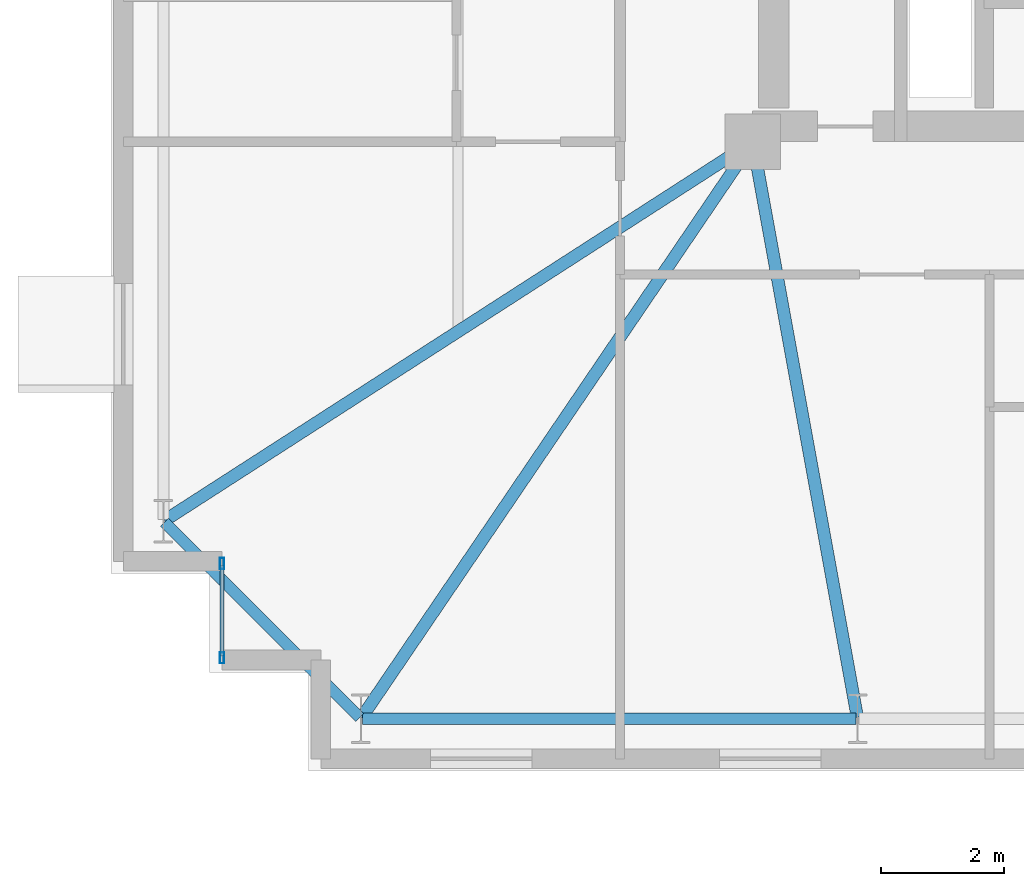
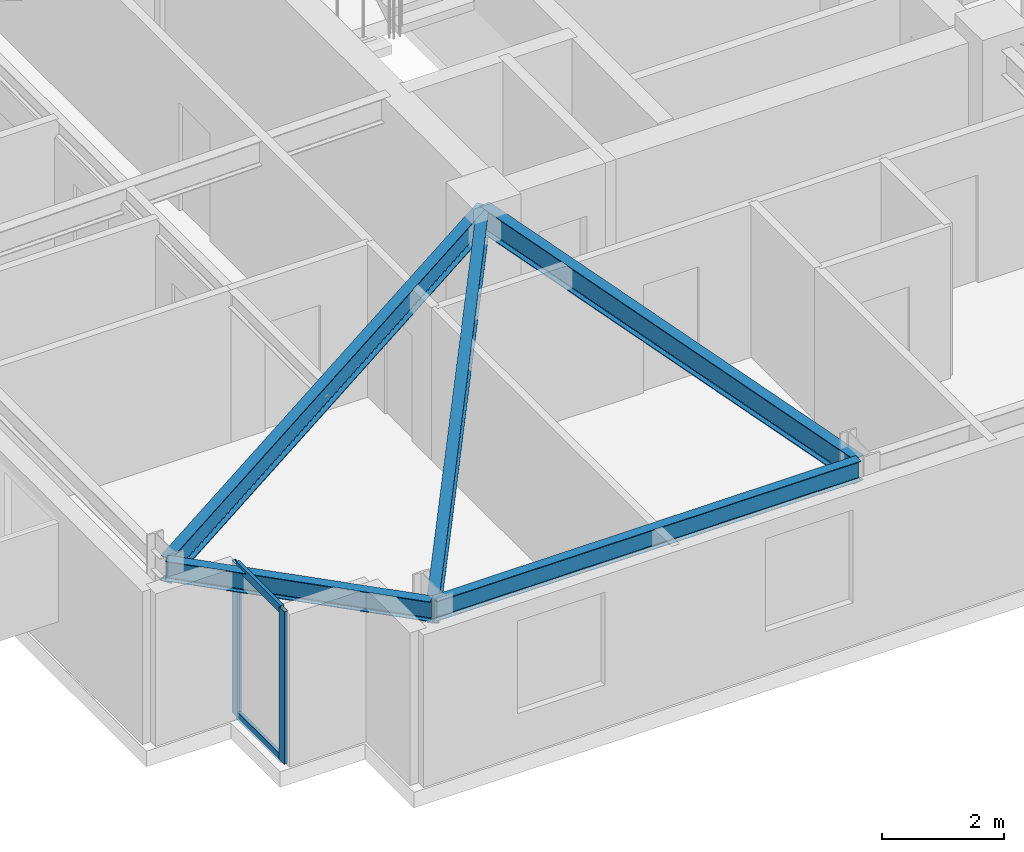
# One storey, part 3 of 18: 5 beams, 4 members, 1 element without a shape of its own.
"""IFC4 building model written with IfcOpenShell, lengths in metres."""

from ifc_helpers import new_model, si_unit, direction, frame, origin, origin_2d, place, context, subcontext, project, spatial, hollow_rectangle, i_section, extrude, material, layer, layer_set, material_profile, profile_set, type_object, element, aggregate, save


model = new_model("IFC4")

# Units and contexts
model_context = context("Model", 3, precision=1e-05, world=origin(), true_north=direction((0.0, 1.0)))
body_context = subcontext(model_context, "Body", "Model", "MODEL_VIEW")
ifc_project = project(units=[si_unit("LENGTHUNIT", "METRE"), si_unit("AREAUNIT", "SQUARE_METRE"), si_unit("VOLUMEUNIT", "CUBIC_METRE"), si_unit("PLANEANGLEUNIT", "RADIAN"), si_unit("MASSUNIT", "GRAM", prefix="KILO")], contexts=[model_context])

# Site, building, storey
site_placement = place(None, origin())
site = spatial("IfcSite", under=ifc_project, at=site_placement, CompositionType="ELEMENT")
building_placement = place(site_placement, origin())
building = spatial("IfcBuilding", under=site, at=building_placement, Name="Qobustan Lattice House", CompositionType="ELEMENT")
storey_placement = place(building_placement, frame((0.0, 0.0, 147.75)))
storey = spatial("IfcBuildingStorey", under=building, at=storey_placement, Name="L41", CompositionType="ELEMENT", Elevation=147.75)

# Beams
ifc_material_1 = material(Name="Steel S355", Category="steel")
ifc_material_profile_1 = material_profile(ifc_material_1, i_section(OverallWidth=0.199951171875, OverallDepth=0.5, WebThickness=0.01025390625, FlangeThickness=0.01611328125, FilletRadius=0.02099609375, at=origin_2d()), Name="IPE500")
ifc_profile_set_1 = profile_set([ifc_material_profile_1], Name="Steel S355")
beam_type_1 = type_object("IfcBeamType", Name="BM-FLG-IPE500", PredefinedType="USERDEFINED", material=ifc_profile_set_1)
beam_1_placement = place(storey_placement, frame((-25.135986328125, -14.92919921875, 2.7900390625), z_axis=(0.561834572616, 0.827249607442, 0.0), x_axis=(-0.827249607442, 0.561834572616, 0.0)))
element("IfcBeam", 1, at=beam_1_placement, inside=storey, type_object=beam_type_1, Name="L41 primary floor girder RAD-S1W", ObjectType="GIRDER", PredefinedType="USERDEFINED", context=body_context, shape_type="SweptSolid", body=[
    extrude(i_section(OverallWidth=0.199951171875, OverallDepth=0.5, WebThickness=0.01025390625, FlangeThickness=0.01611328125, FilletRadius=0.02099609375, at=origin_2d()), origin(), (0.0, 0.0, 1.0), 11.25244140625),
])
beam_2_placement = place(storey_placement, frame((-17.1044921875, -14.92529296875, 2.7900390625), z_axis=(-0.178871801984, 0.983872389314, 0.0), x_axis=(-0.983872389314, -0.178871801984, 0.0)))
element("IfcBeam", 2, at=beam_2_placement, inside=storey, type_object=beam_type_1, Name="L41 primary floor girder RAD-S2", ObjectType="GIRDER", PredefinedType="USERDEFINED", context=body_context, shape_type="SweptSolid", body=[
    extrude(i_section(OverallWidth=0.199951171875, OverallDepth=0.5, WebThickness=0.01025390625, FlangeThickness=0.01611328125, FilletRadius=0.02099609375, at=origin_2d()), origin(), (0.0, 0.0, 1.0), 9.453125),
])
beam_3_placement = place(storey_placement, frame((-28.3291015625, -11.736572265625, 2.7900390625), z_axis=(0.840746836292, 0.5414284415, 0.0), x_axis=(-0.5414284415, 0.840746836292, 0.0)))
element("IfcBeam", 3, at=beam_3_placement, inside=storey, type_object=beam_type_1, Name="L41 primary floor girder RAD-W4", ObjectType="GIRDER", PredefinedType="USERDEFINED", context=body_context, shape_type="SweptSolid", body=[
    extrude(i_section(OverallWidth=0.199951171875, OverallDepth=0.5, WebThickness=0.01025390625, FlangeThickness=0.01611328125, FilletRadius=0.02099609375, at=origin_2d()), origin(), (0.0, 0.0, 1.0), 11.30908203125),
])
ifc_material_2 = material(Name="Steel S355", Category="steel")
ifc_material_profile_2 = material_profile(ifc_material_2, i_section(OverallWidth=0.179931640625, OverallDepth=0.39990234375, WebThickness=0.008544921875, FlangeThickness=0.013427734375, FilletRadius=0.02099609375, at=origin_2d()), Name="IPE400")
ifc_profile_set_2 = profile_set([ifc_material_profile_2], Name="Steel S355")
beam_type_2 = type_object("IfcBeamType", Name="BM-SPD-IPE400", PredefinedType="SPANDREL", material=ifc_profile_set_2)
beam_4_placement = place(storey_placement, frame((-25.125, -14.949951171875, 2.840087890625), z_axis=(1.0, 0.0, 0.0), x_axis=(0.0, 1.0, 0.0)))
element("IfcBeam", 4, at=beam_4_placement, inside=storey, type_object=beam_type_2, Name="L41 perimeter spandrel S1-S2", PredefinedType="SPANDREL", context=body_context, shape_type="SweptSolid", body=[
    extrude(i_section(OverallWidth=0.179931640625, OverallDepth=0.39990234375, WebThickness=0.008544921875, FlangeThickness=0.013427734375, FilletRadius=0.02099609375, at=origin_2d()), origin(), (0.0, 0.0, 1.0), 8.0),
])
beam_5_placement = place(storey_placement, frame((-28.332275390625, -11.767578125, 2.840087890625), z_axis=(0.707079505568, -0.707134055753, 0.0), x_axis=(0.707134055753, 0.707079505568, 0.0)))
element("IfcBeam", 5, at=beam_5_placement, inside=storey, type_object=beam_type_2, Name="L41 perimeter spandrel W4-S1", PredefinedType="SPANDREL", context=body_context, shape_type="SweptSolid", body=[
    extrude(i_section(OverallWidth=0.179931640625, OverallDepth=0.39990234375, WebThickness=0.008544921875, FlangeThickness=0.013427734375, FilletRadius=0.02099609375, at=origin_2d()), origin(), (0.0, 0.0, 1.0), 4.4755859375),
])

# Curtain wall, members
ifc_material_3 = material(Name="Anodised aluminium and low-E glazing", Category="aluminium")
ifc_layer = layer(ifc_material_3, 0.219970703125)
ifc_layer_set = layer_set([ifc_layer], Name="Anodised aluminium and low-E glazing")
curtain_wall_type = type_object("IfcCurtainWallType", Name="CW-FAC-02", PredefinedType="USERDEFINED", material=ifc_layer_set)
curtain_wall_placement = place(storey_placement, origin())
curtain_wall = element("IfcCurtainWall", 6, at=curtain_wall_placement, inside=storey, type_object=curtain_wall_type, Name="L41 serrated corner faceted glazing 3", ObjectType="CURTAIN WALL", PredefinedType="USERDEFINED")
ifc_material_4 = material(Name="Anodised aluminium EN AW-6063 T6", Category="aluminium")
ifc_material_profile_3 = material_profile(ifc_material_4, hollow_rectangle(XDim=0.070068359375, YDim=0.179931640625, WallThickness=0.00439453125, at=origin_2d()), Name="CWM-180x70")
ifc_profile_set_3 = profile_set([ifc_material_profile_3], Name="Anodised aluminium EN AW-6063 T6")
member_type_1 = type_object("IfcMemberType", Name="CWM-STD-180", PredefinedType="MULLION", material=ifc_profile_set_3)
member_1_placement = place(storey_placement, frame((-27.39990234375, -13.965087890625, 0.0), z_axis=(0.0, 0.0, 1.0), x_axis=(-1.0, 0.0, 0.0)))
member_1 = element("IfcMember", 7, at=member_1_placement, type_object=member_type_1, Name="CW-F2 mullion 1", PredefinedType="MULLION", context=body_context, shape_type="SweptSolid", body=[
    extrude(hollow_rectangle(XDim=0.070068359375, YDim=0.179931640625, WallThickness=0.00439453125, at=origin_2d()), origin(), (0.0, 0.0, 1.0), 3.0400390625),
])
member_2_placement = place(storey_placement, frame((-27.39990234375, -12.43505859375, 0.0), z_axis=(0.0, 0.0, 1.0), x_axis=(-1.0, 0.0, 0.0)))
member_2 = element("IfcMember", 8, at=member_2_placement, type_object=member_type_1, Name="CW-F2 mullion 2", PredefinedType="MULLION", context=body_context, shape_type="SweptSolid", body=[
    extrude(hollow_rectangle(XDim=0.070068359375, YDim=0.179931640625, WallThickness=0.00439453125, at=origin_2d()), origin(), (0.0, 0.0, 1.0), 3.0400390625),
])
ifc_material_5 = material(Name="Anodised aluminium EN AW-6063 T6", Category="aluminium")
ifc_material_profile_4 = material_profile(ifc_material_5, hollow_rectangle(XDim=0.06494140625, YDim=0.159912109375, WallThickness=0.00390625, at=origin_2d()), Name="CWT-160x65")
ifc_profile_set_4 = profile_set([ifc_material_profile_4], Name="Anodised aluminium EN AW-6063 T6")
member_type_2 = type_object("IfcMemberType", Name="CWT-HOR-160", PredefinedType="USERDEFINED", material=ifc_profile_set_4)
member_3_placement = place(storey_placement, frame((-27.39990234375, -13.929931640625, 0.032470703125), z_axis=(0.0, 1.0, 0.0), x_axis=(-1.0, 0.0, 0.0)))
member_3 = element("IfcMember", 9, at=member_3_placement, type_object=member_type_2, Name="CW-F2 transom 1.1", ObjectType="TRANSOM", PredefinedType="USERDEFINED", context=body_context, shape_type="SweptSolid", body=[
    extrude(hollow_rectangle(XDim=0.06494140625, YDim=0.159912109375, WallThickness=0.00390625, at=origin_2d()), origin(), (0.0, 0.0, 1.0), 1.4599609375),
])
member_4_placement = place(storey_placement, frame((-27.39990234375, -13.929931640625, 3.007568359375), z_axis=(0.0, 1.0, 0.0), x_axis=(-1.0, 0.0, 0.0)))
member_4 = element("IfcMember", 10, at=member_4_placement, type_object=member_type_2, Name="CW-F2 transom 1.2", ObjectType="TRANSOM", PredefinedType="USERDEFINED", context=body_context, shape_type="SweptSolid", body=[
    extrude(hollow_rectangle(XDim=0.06494140625, YDim=0.159912109375, WallThickness=0.00390625, at=origin_2d()), origin(), (0.0, 0.0, 1.0), 1.4599609375),
])
aggregate(curtain_wall, [member_1, member_2, member_3, member_4])

save(model, "model.ifc")
